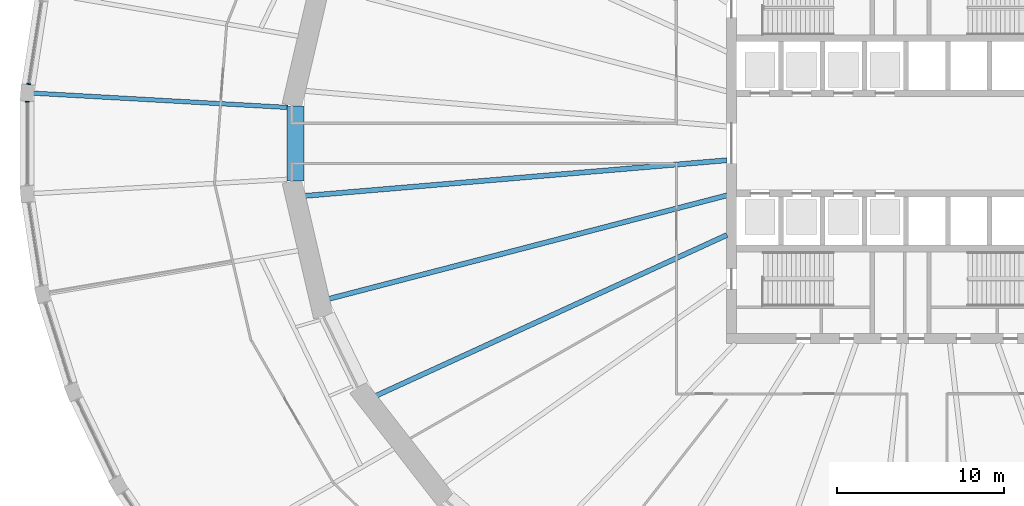
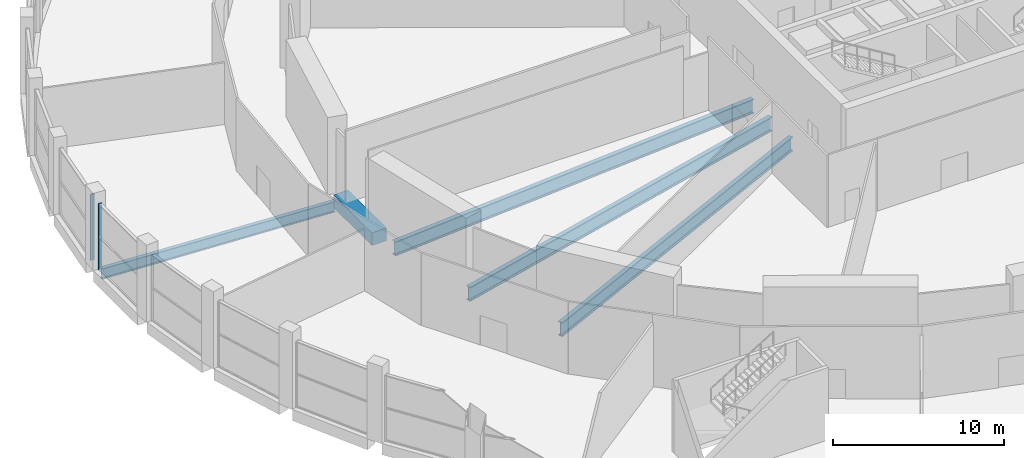
# One storey, part 6 of 29: 5 beams, 2 members, 2 elements without a shape of their own.
"""IFC4 building model written with IfcOpenShell, lengths in metres."""

from ifc_helpers import new_model, si_unit, direction, frame, origin, origin_2d, place, context, subcontext, project, spatial, rectangle, i_section, extrude, material, material_profile, profile_set, type_object, element, aggregate, save


model = new_model("IFC4")

# Units and contexts
model_context = context("Model", 3, precision=1e-05, world=origin(), true_north=direction((0.0, 1.0)))
body_context = subcontext(model_context, "Body", "Model", "MODEL_VIEW")
ifc_project = project(units=[si_unit("LENGTHUNIT", "METRE"), si_unit("AREAUNIT", "SQUARE_METRE"), si_unit("VOLUMEUNIT", "CUBIC_METRE"), si_unit("PLANEANGLEUNIT", "RADIAN"), si_unit("MASSUNIT", "GRAM", prefix="KILO")], contexts=[model_context])

# Site, building, storey
site_placement = place(None, origin())
site = spatial("IfcSite", under=ifc_project, at=site_placement, CompositionType="ELEMENT")
building_placement = place(site_placement, origin())
building = spatial("IfcBuilding", under=site, at=building_placement, Name="Halqa Exchange Tower", CompositionType="ELEMENT")
storey_placement = place(building_placement, frame((0.0, 0.0, 7.0)))
storey = spatial("IfcBuildingStorey", under=building, at=storey_placement, Name="L01", CompositionType="ELEMENT", Elevation=7.0)

# Curtain wall, member
ifc_material_1 = material(Name="Anodised aluminium and clear glass", Category="aluminium")
curtain_wall_type = type_object("IfcCurtainWallType", Name="Exchange hall glazing", PredefinedType="NOTDEFINED", material=ifc_material_1)
curtain_wall_1_placement = place(storey_placement, origin())
curtain_wall_1 = element("IfcCurtainWall", 1, at=curtain_wall_1_placement, inside=storey, type_object=curtain_wall_type, Name="Exchange hall glazing run P23", PredefinedType="NOTDEFINED")
ifc_material_2 = material(Name="Anodised aluminium", Category="aluminium")
ifc_material_profile_1 = material_profile(ifc_material_2, rectangle(XDim=0.25, YDim=0.070068359375, at=origin_2d()), Name="AL 70x250")
ifc_profile_set_1 = profile_set([ifc_material_profile_1], Name="Anodised aluminium")
member_type = type_object("IfcMemberType", Name="Exchange hall glazing mullion 70 x 250", PredefinedType="MULLION", material=ifc_profile_set_1)
member_1_placement = place(storey_placement, frame((-53.80322265625, 3.556884765625, 0.0), z_axis=(0.0, 0.0, 1.0), x_axis=(0.988416304241, -0.151766957898, 0.0)))
member_1 = element("IfcMember", 2, at=member_1_placement, type_object=member_type, Name="P23 mullion 2", PredefinedType="MULLION", context=body_context, shape_type="SweptSolid", body=[
    extrude(rectangle(XDim=0.25, YDim=0.070068359375, at=origin_2d()), origin(), (0.0, 0.0, 1.0), 4.699951171875),
])
aggregate(curtain_wall_1, [member_1])

curtain_wall_2_placement = place(storey_placement, origin())
curtain_wall_2 = element("IfcCurtainWall", 3, at=curtain_wall_2_placement, inside=storey, type_object=curtain_wall_type, Name="Exchange hall glazing run P24", PredefinedType="NOTDEFINED")
member_2_placement = place(storey_placement, frame((-53.884521484375, 2.4931640625, 0.0), z_axis=(0.0, 0.0, 1.0), x_axis=(1.0, 0.0, 0.0)))
member_2 = element("IfcMember", 4, at=member_2_placement, type_object=member_type, Name="P24 mullion 1", PredefinedType="MULLION", context=body_context, shape_type="SweptSolid", body=[
    extrude(rectangle(XDim=0.25, YDim=0.070068359375, at=origin_2d()), origin(), (0.0, 0.0, 1.0), 4.699951171875),
])
aggregate(curtain_wall_2, [member_2])

# Beams
ifc_material_3 = material(Name="Steel S355", Category="steel")
ifc_material_profile_2 = material_profile(ifc_material_3, i_section(OverallWidth=0.300048828125, OverallDepth=1.0, WebThickness=0.01904296875, FlangeThickness=0.035888671875, FilletRadius=0.030029296875, at=origin_2d()), Name="HEB 1000")
ifc_profile_set_2 = profile_set([ifc_material_profile_2], Name="Steel S355")
beam_type_1 = type_object("IfcBeamType", Name="Floor beam HEB 1000", PredefinedType="BEAM", material=ifc_profile_set_2)
beam_1_placement = place(storey_placement, frame((-11.972412109375, -5.485107421875, -0.85009765625), z_axis=(-0.909128229117, -0.416516341843, 0.0), x_axis=(0.416516341843, -0.909128229117, 0.0)))
element("IfcBeam", 5, at=beam_1_placement, inside=storey, type_object=beam_type_1, Name="Radial beam 19", PredefinedType="BEAM", context=body_context, shape_type="SweptSolid", body=[
    extrude(i_section(OverallWidth=0.300048828125, OverallDepth=1.0, WebThickness=0.01904296875, FlangeThickness=0.035888671875, FilletRadius=0.030029296875, at=origin_2d()), origin(), (0.0, 0.0, 1.0), 23.209228515625),
])
ifc_material_profile_3 = material_profile(ifc_material_3, i_section(OverallWidth=0.302001953125, OverallDepth=1.008056640625, WebThickness=0.02099609375, FlangeThickness=0.0400390625, FilletRadius=0.030029296875, at=origin_2d()), Name="HEM 1000")
ifc_profile_set_3 = profile_set([ifc_material_profile_3], Name="Steel S355")
beam_type_2 = type_object("IfcBeamType", Name="Floor beam HEM 1000", PredefinedType="BEAM", material=ifc_profile_set_3)
beam_2_placement = place(storey_placement, frame((-11.972412109375, -1.0107421875, -0.85400390625), z_axis=(-0.996455167327, -0.084125498561, 0.0), x_axis=(0.084125498561, -0.996455167327, 0.0)))
element("IfcBeam", 6, at=beam_2_placement, inside=storey, type_object=beam_type_2, Name="Radial beam 17", PredefinedType="BEAM", context=body_context, shape_type="SweptSolid", body=[
    extrude(i_section(OverallWidth=0.302001953125, OverallDepth=1.008056640625, WebThickness=0.02099609375, FlangeThickness=0.0400390625, FilletRadius=0.030029296875, at=origin_2d()), origin(), (0.0, 0.0, 1.0), 25.460205078125),
])
beam_3_placement = place(storey_placement, frame((-11.971435546875, -3.11279296875, -0.85400390625), z_axis=(-0.967821064299, -0.251639399735, 0.0), x_axis=(0.251639399735, -0.967821064299, 0.0)))
element("IfcBeam", 7, at=beam_3_placement, inside=storey, type_object=beam_type_2, Name="Radial beam 18", PredefinedType="BEAM", context=body_context, shape_type="SweptSolid", body=[
    extrude(i_section(OverallWidth=0.302001953125, OverallDepth=1.008056640625, WebThickness=0.02099609375, FlangeThickness=0.0400390625, FilletRadius=0.030029296875, at=origin_2d()), origin(), (0.0, 0.0, 1.0), 24.7314453125),
])
ifc_material_profile_4 = material_profile(ifc_material_3, i_section(OverallWidth=0.264892578125, OverallDepth=0.7529296875, WebThickness=0.01318359375, FlangeThickness=0.01708984375, FilletRadius=0.01708984375, at=origin_2d()), Name="IPE 750x147")
ifc_profile_set_4 = profile_set([ifc_material_profile_4], Name="Steel S355")
beam_type_3 = type_object("IfcBeamType", Name="Floor beam IPE 750x147", PredefinedType="BEAM", material=ifc_profile_set_4)
beam_4_placement = place(storey_placement, frame((-38.2880859375, 2.151611328125, -0.7265625), z_axis=(-0.998424130563, 0.056118227964, 0.0), x_axis=(-0.056118227964, -0.998424130563, 0.0)))
element("IfcBeam", 8, at=beam_4_placement, inside=storey, type_object=beam_type_3, Name="Radial beam 24", PredefinedType="BEAM", context=body_context, shape_type="SweptSolid", body=[
    extrude(i_section(OverallWidth=0.264892578125, OverallDepth=0.7529296875, WebThickness=0.01318359375, FlangeThickness=0.01708984375, FilletRadius=0.01708984375, at=origin_2d()), origin(), (0.0, 0.0, 1.0), 15.248291015625),
])
ifc_material_4 = material(Name="Concrete C60/75", Category="concrete")
ifc_material_profile_5 = material_profile(ifc_material_4, rectangle(XDim=1.0, YDim=0.89990234375, at=origin_2d()), Name="1000 x 900")
ifc_profile_set_5 = profile_set([ifc_material_profile_5], Name="Concrete C60/75")
beam_type_4 = type_object("IfcBeamType", Name="RC spandrel beam 1000 x 900 C60/75", PredefinedType="SPANDREL", material=ifc_profile_set_5)
beam_5_placement = place(storey_placement, frame((-37.81689453125, 2.24609375, -0.449951171875), z_axis=(0.0, -1.0, 0.0), x_axis=(1.0, 0.0, 0.0)))
element("IfcBeam", 9, at=beam_5_placement, inside=storey, type_object=beam_type_4, Name="Spandrel 16", PredefinedType="SPANDREL", context=body_context, shape_type="SweptSolid", body=[
    extrude(rectangle(XDim=1.0, YDim=0.89990234375, at=origin_2d()), origin(), (0.0, 0.0, 1.0), 4.4921875),
])

save(model, "model.ifc")
